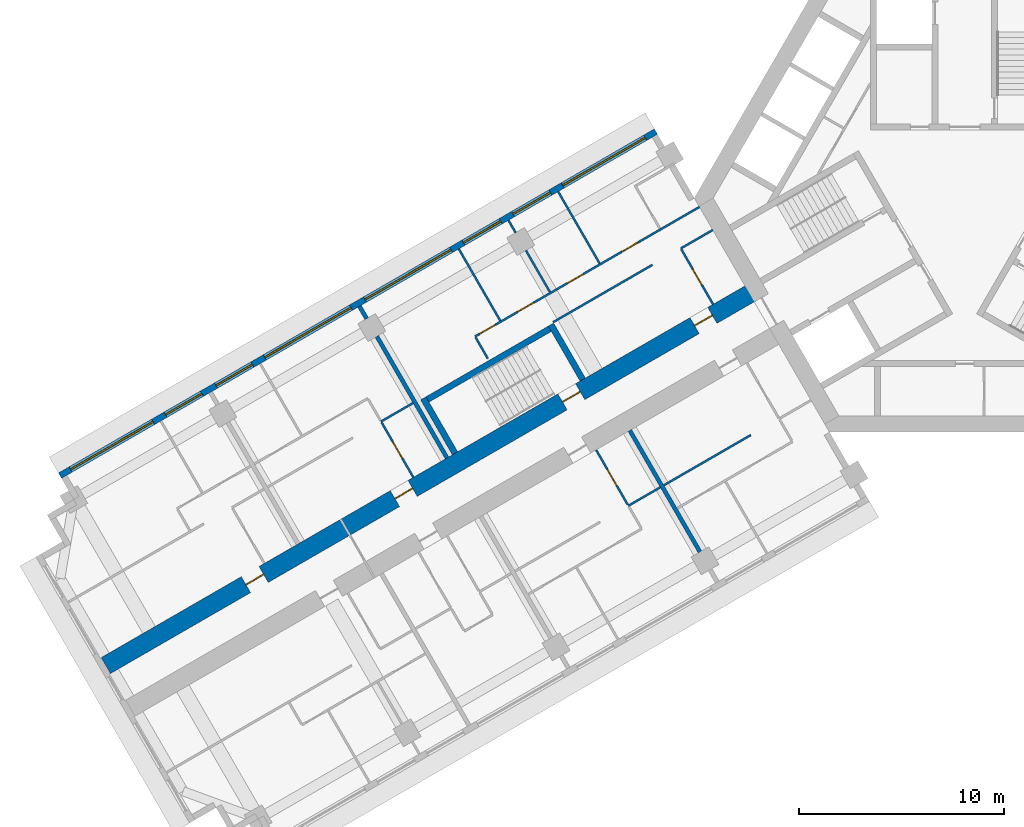
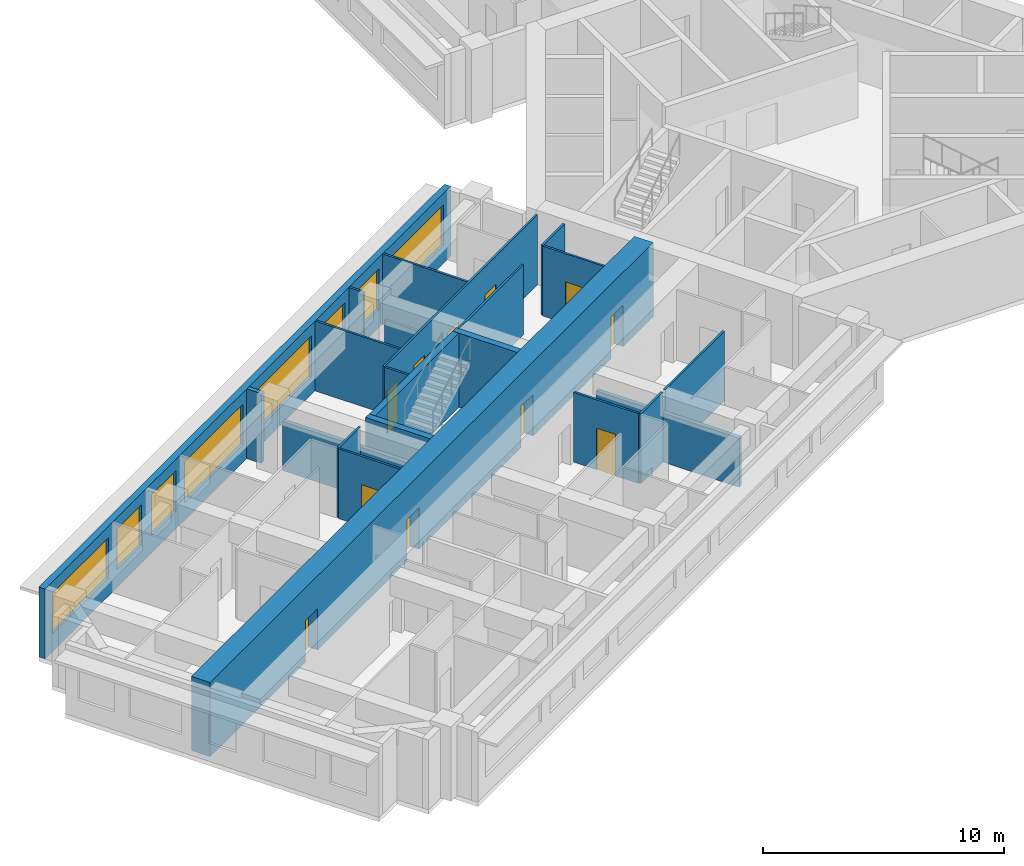
# One storey, part 5 of 14: 22 walls, 11 doors, 8 windows, 19 openings.
"""IFC4 building model written with IfcOpenShell, lengths in metres."""

from ifc_helpers import new_model, si_unit, direction, frame, frame_2d, origin, place, context, subcontext, project, spatial, rectangle, extrude, material, layer, layer_set, type_object, element, fill, save


model = new_model("IFC4")

# Units and contexts
model_context = context("Model", 3, precision=1e-05, world=origin(), true_north=direction((0.0, 1.0)))
body_context = subcontext(model_context, "Body", "Model", "MODEL_VIEW")
ifc_project = project(units=[si_unit("LENGTHUNIT", "METRE"), si_unit("AREAUNIT", "SQUARE_METRE"), si_unit("VOLUMEUNIT", "CUBIC_METRE"), si_unit("PLANEANGLEUNIT", "RADIAN"), si_unit("MASSUNIT", "GRAM", prefix="KILO")], contexts=[model_context])

# Site, building, storey
site_placement = place(None, origin())
site = spatial("IfcSite", under=ifc_project, at=site_placement, CompositionType="ELEMENT")
building_placement = place(site_placement, origin())
building = spatial("IfcBuilding", under=site, at=building_placement, Name="Impinga Residences", CompositionType="ELEMENT")
storey_placement = place(building_placement, frame((0.0, 0.0, 117.25)))
storey = spatial("IfcBuildingStorey", under=building, at=storey_placement, Name="L28", CompositionType="ELEMENT", Elevation=117.25)

# Wall, openings, doors
ifc_material_1 = material(Name="Concrete C60/75", Category="concrete")
ifc_layer_1 = layer(ifc_material_1, 0.89990234375)
ifc_layer_set_1 = layer_set([ifc_layer_1], Name="Concrete C60/75")
wall_type_1 = type_object("IfcWallType", Name="BW2 corridor buttress wall, L24 to L44 900", PredefinedType="SHEAR", material=ifc_layer_set_1)
wall_1_placement = place(storey_placement, frame((-10.153564453125, -4.4765625, 0.0), z_axis=(0.0, 0.0, 1.0), x_axis=(-0.866027614434, -0.499996171023, 0.0)))
wall_1 = element("IfcWall", 1, at=wall_1_placement, inside=storey, type_object=wall_type_1, Name="Corridor wall BW2 WD L28", PredefinedType="SHEAR", context=body_context, shape_type="SweptSolid", body=[
    extrude(rectangle(XDim=36.699951171875, YDim=0.89990234375, at=frame_2d((18.35009765625, 0.0))), origin(), (0.0, 0.0, 1.0), 3.75),
])
opening_1_placement = place(wall_1_placement, frame((9.949951171875, 0.0, 0.0)))
opening_1 = element("IfcOpeningElement", 2, at=opening_1_placement, cuts=wall_1, Name="Opening D5", PredefinedType="OPENING", context=body_context, shape_type="SweptSolid", body=[
    extrude(rectangle(XDim=1.0, YDim=2.10009765625, at=frame_2d((0.5, 1.050048828125))), frame((0.0, 0.4599609375, 0.0), z_axis=(0.0, -1.0, 0.0), x_axis=(1.0, 0.0, 0.0)), (0.0, 0.0, 1.0), 0.919921875),
])
opening_2_placement = place(wall_1_placement, frame((2.5, 0.0, 0.0)))
opening_2 = element("IfcOpeningElement", 3, at=opening_2_placement, cuts=wall_1, Name="Opening D1", PredefinedType="OPENING", context=body_context, shape_type="SweptSolid", body=[
    extrude(rectangle(XDim=1.0, YDim=2.10009765625, at=frame_2d((0.5, 1.050048828125))), frame((0.0, 0.4599609375, 0.0), z_axis=(0.0, -1.0, 0.0), x_axis=(1.0, 0.0, 0.0)), (0.0, 0.0, 1.0), 0.919921875),
])
opening_3_placement = place(wall_1_placement, frame((19.39990234375, 0.0, 0.0)))
opening_3 = element("IfcOpeningElement", 4, at=opening_3_placement, cuts=wall_1, Name="Opening D1", PredefinedType="OPENING", context=body_context, shape_type="SweptSolid", body=[
    extrude(rectangle(XDim=1.0, YDim=2.10009765625, at=frame_2d((0.5, 1.050048828125))), frame((0.0, 0.4599609375, 0.0), z_axis=(0.0, -1.0, 0.0), x_axis=(1.0, 0.0, 0.0)), (0.0, 0.0, 1.0), 0.919921875),
])
opening_4_placement = place(wall_1_placement, frame((27.800048828125, 0.0, 0.0)))
opening_4 = element("IfcOpeningElement", 5, at=opening_4_placement, cuts=wall_1, Name="Opening D1", PredefinedType="OPENING", context=body_context, shape_type="SweptSolid", body=[
    extrude(rectangle(XDim=1.0, YDim=2.10009765625, at=frame_2d((0.5, 1.050048828125))), frame((0.0, 0.4599609375, 0.0), z_axis=(0.0, -1.0, 0.0), x_axis=(1.0, 0.0, 0.0)), (0.0, 0.0, 1.0), 0.919921875),
])
ifc_material_2 = material(Name="Timber door set", Category="wood")
door_type_1 = type_object("IfcDoorType", Name="D1 apartment entrance door 1000x2100", OperationType="SINGLE_SWING_LEFT", PredefinedType="DOOR", material=ifc_material_2)
door_1_placement = place(opening_2_placement, origin())
door_1 = element("IfcDoor", 6, at=door_1_placement, inside=storey, type_object=door_type_1, Name="Apartment L28-WF1 entrance", OperationType="SINGLE_SWING_LEFT", OverallHeight=2.10009765625, OverallWidth=1.0, PredefinedType="DOOR", context=body_context, shape_type="SweptSolid", body=[
    extrude(rectangle(XDim=1.0, YDim=2.10009765625, at=frame_2d((0.5, 1.050048828125))), frame((0.0, 0.02490234375, 0.0), z_axis=(0.0, -1.0, 0.0), x_axis=(1.0, 0.0, 0.0)), (0.0, 0.0, 1.0), 0.050048828125),
])
fill(opening_2, door_1)
door_2_placement = place(opening_3_placement, origin())
door_2 = element("IfcDoor", 7, at=door_2_placement, inside=storey, type_object=door_type_1, Name="Apartment L28-WF2 entrance", OperationType="SINGLE_SWING_RIGHT", OverallHeight=2.10009765625, OverallWidth=1.0, PredefinedType="DOOR", context=body_context, shape_type="SweptSolid", body=[
    extrude(rectangle(XDim=1.0, YDim=2.10009765625, at=frame_2d((0.5, 1.050048828125))), frame((0.0, 0.02490234375, 0.0), z_axis=(0.0, -1.0, 0.0), x_axis=(1.0, 0.0, 0.0)), (0.0, 0.0, 1.0), 0.050048828125),
])
fill(opening_3, door_2)
door_3_placement = place(opening_4_placement, origin())
door_3 = element("IfcDoor", 8, at=door_3_placement, inside=storey, type_object=door_type_1, Name="Apartment L28-WF3 entrance", OperationType="SINGLE_SWING_RIGHT", OverallHeight=2.10009765625, OverallWidth=1.0, PredefinedType="DOOR", context=body_context, shape_type="SweptSolid", body=[
    extrude(rectangle(XDim=1.0, YDim=2.10009765625, at=frame_2d((0.5, 1.050048828125))), frame((0.0, 0.02490234375, 0.0), z_axis=(0.0, -1.0, 0.0), x_axis=(1.0, 0.0, 0.0)), (0.0, 0.0, 1.0), 0.050048828125),
])
fill(opening_4, door_3)
door_type_2 = type_object("IfcDoorType", Name="D5 stair door 1000x2100", OperationType="SINGLE_SWING_LEFT", PredefinedType="DOOR", material=ifc_material_2)
door_4_placement = place(opening_1_placement, origin())
door_4 = element("IfcDoor", 9, at=door_4_placement, inside=storey, type_object=door_type_2, Name="Wing stair door W", OperationType="SINGLE_SWING_LEFT", OverallHeight=2.10009765625, OverallWidth=1.0, PredefinedType="DOOR", context=body_context, shape_type="SweptSolid", body=[
    extrude(rectangle(XDim=1.0, YDim=2.10009765625, at=frame_2d((0.5, 1.050048828125))), frame((0.0, 0.02490234375, 0.0), z_axis=(0.0, -1.0, 0.0), x_axis=(1.0, 0.0, 0.0)), (0.0, 0.0, 1.0), 0.050048828125),
])
fill(opening_1, door_4)

# Wall, openings, windows
ifc_material_3 = material(Name="Terracotta rainscreen on blockwork", Category="masonry")
ifc_layer_2 = layer(ifc_material_3, 0.300048828125)
ifc_layer_set_2 = layer_set([ifc_layer_2], Name="EW1 external wall, terracotta rainscreen on blockwork 300")
wall_type_2 = type_object("IfcWallType", Name="EW1 external wall, terracotta rainscreen on blockwork 300", PredefinedType="SOLIDWALL", material=ifc_layer_set_2)
wall_2_placement = place(storey_placement, frame((-44.17333984375, -13.552490234375, 0.0), z_axis=(0.0, 0.0, 1.0), x_axis=(0.866024291668, 0.500001926238, 0.0)))
wall_2 = element("IfcWall", 10, at=wall_2_placement, inside=storey, type_object=wall_type_2, Name="External wall EW1 L28", PredefinedType="SOLIDWALL", context=body_context, shape_type="SweptSolid", body=[
    extrude(rectangle(XDim=33.599853515625, YDim=0.300048828125, at=frame_2d((16.7998046875, 0.0))), origin(), (0.0, 0.0, 1.0), 3.530029296875),
])
opening_5_placement = place(wall_2_placement, frame((0.60009765625, 0.0, 0.89990234375)))
opening_5 = element("IfcOpeningElement", 11, at=opening_5_placement, cuts=wall_2, Name="Opening W10", PredefinedType="OPENING", context=body_context, shape_type="SweptSolid", body=[
    extrude(rectangle(XDim=4.64990234375, YDim=2.050048828125, at=frame_2d((2.324951171875, 1.02490234375))), frame((0.0, 0.159912109375, 0.0), z_axis=(0.0, -1.0, 0.0), x_axis=(1.0, 0.0, 0.0)), (0.0, 0.0, 1.0), 0.320068359375),
])
opening_6_placement = place(wall_2_placement, frame((5.949951171875, 0.0, 0.89990234375)))
opening_6 = element("IfcOpeningElement", 12, at=opening_6_placement, cuts=wall_2, Name="Opening W14", PredefinedType="OPENING", context=body_context, shape_type="SweptSolid", body=[
    extrude(rectangle(XDim=2.050048828125, YDim=2.050048828125, at=frame_2d((1.02490234375, 1.02490234375))), frame((0.0, 0.159912109375, 0.0), z_axis=(0.0, -1.0, 0.0), x_axis=(1.0, 0.0, 0.0)), (0.0, 0.0, 1.0), 0.320068359375),
])
opening_7_placement = place(wall_2_placement, frame((8.800048828125, 0.0, 0.89990234375)))
opening_7 = element("IfcOpeningElement", 13, at=opening_7_placement, cuts=wall_2, Name="Opening W14", PredefinedType="OPENING", context=body_context, shape_type="SweptSolid", body=[
    extrude(rectangle(XDim=2.050048828125, YDim=2.050048828125, at=frame_2d((1.02490234375, 1.02490234375))), frame((0.0, 0.159912109375, 0.0), z_axis=(0.0, -1.0, 0.0), x_axis=(1.0, 0.0, 0.0)), (0.0, 0.0, 1.0), 0.320068359375),
])
opening_8_placement = place(wall_2_placement, frame((11.550048828125, 0.0, 0.89990234375)))
opening_8 = element("IfcOpeningElement", 14, at=opening_8_placement, cuts=wall_2, Name="Opening W6", PredefinedType="OPENING", context=body_context, shape_type="SweptSolid", body=[
    extrude(rectangle(XDim=4.85009765625, YDim=2.050048828125, at=frame_2d((2.425048828125, 1.02490234375))), frame((0.0, 0.159912109375, 0.0), z_axis=(0.0, -1.0, 0.0), x_axis=(1.0, 0.0, 0.0)), (0.0, 0.0, 1.0), 0.320068359375),
])
opening_9_placement = place(wall_2_placement, frame((17.199951171875, 0.0, 0.89990234375)))
opening_9 = element("IfcOpeningElement", 15, at=opening_9_placement, cuts=wall_2, Name="Opening W6", PredefinedType="OPENING", context=body_context, shape_type="SweptSolid", body=[
    extrude(rectangle(XDim=4.85009765625, YDim=2.050048828125, at=frame_2d((2.425048828125, 1.02490234375))), frame((0.0, 0.159912109375, 0.0), z_axis=(0.0, -1.0, 0.0), x_axis=(1.0, 0.0, 0.0)), (0.0, 0.0, 1.0), 0.320068359375),
])
opening_10_placement = place(wall_2_placement, frame((22.75, 0.0, 0.89990234375)))
opening_10 = element("IfcOpeningElement", 16, at=opening_10_placement, cuts=wall_2, Name="Opening W9", PredefinedType="OPENING", context=body_context, shape_type="SweptSolid", body=[
    extrude(rectangle(XDim=2.10009765625, YDim=2.050048828125, at=frame_2d((1.050048828125, 1.02490234375))), frame((0.0, 0.159912109375, 0.0), z_axis=(0.0, -1.0, 0.0), x_axis=(1.0, 0.0, 0.0)), (0.0, 0.0, 1.0), 0.320068359375),
])
opening_11_placement = place(wall_2_placement, frame((25.550048828125, 0.0, 0.89990234375)))
opening_11 = element("IfcOpeningElement", 17, at=opening_11_placement, cuts=wall_2, Name="Opening W9", PredefinedType="OPENING", context=body_context, shape_type="SweptSolid", body=[
    extrude(rectangle(XDim=2.10009765625, YDim=2.050048828125, at=frame_2d((1.050048828125, 1.02490234375))), frame((0.0, 0.159912109375, 0.0), z_axis=(0.0, -1.0, 0.0), x_axis=(1.0, 0.0, 0.0)), (0.0, 0.0, 1.0), 0.320068359375),
])
opening_12_placement = place(wall_2_placement, frame((28.35009765625, 0.0, 0.89990234375)))
opening_12 = element("IfcOpeningElement", 18, at=opening_12_placement, cuts=wall_2, Name="Opening W10", PredefinedType="OPENING", context=body_context, shape_type="SweptSolid", body=[
    extrude(rectangle(XDim=4.64990234375, YDim=2.050048828125, at=frame_2d((2.324951171875, 1.02490234375))), frame((0.0, 0.159912109375, 0.0), z_axis=(0.0, -1.0, 0.0), x_axis=(1.0, 0.0, 0.0)), (0.0, 0.0, 1.0), 0.320068359375),
])
ifc_material_4 = material(Name="Aluminium window, clear double glazing", Category="aluminium")
window_type_1 = type_object("IfcWindowType", Name="W10 ribbon window 4650x2050", PartitioningType="SINGLE_PANEL", PredefinedType="WINDOW", material=ifc_material_4)
window_1_placement = place(opening_5_placement, origin())
window_1 = element("IfcWindow", 19, at=window_1_placement, inside=storey, type_object=window_type_1, Name="Window L28", OverallHeight=2.050048828125, OverallWidth=4.64990234375, PartitioningType="SINGLE_PANEL", PredefinedType="WINDOW", context=body_context, shape_type="SweptSolid", body=[
    extrude(rectangle(XDim=4.64990234375, YDim=2.050048828125, at=frame_2d((2.324951171875, 1.02490234375))), frame((0.0, 0.030029296875, 0.0), z_axis=(0.0, -1.0, 0.0), x_axis=(1.0, 0.0, 0.0)), (0.0, 0.0, 1.0), 0.06005859375),
])
fill(opening_5, window_1)
window_2_placement = place(opening_12_placement, origin())
window_2 = element("IfcWindow", 20, at=window_2_placement, inside=storey, type_object=window_type_1, Name="Window L28", OverallHeight=2.050048828125, OverallWidth=4.64990234375, PartitioningType="SINGLE_PANEL", PredefinedType="WINDOW", context=body_context, shape_type="SweptSolid", body=[
    extrude(rectangle(XDim=4.64990234375, YDim=2.050048828125, at=frame_2d((2.324951171875, 1.02490234375))), frame((0.0, 0.030029296875, 0.0), z_axis=(0.0, -1.0, 0.0), x_axis=(1.0, 0.0, 0.0)), (0.0, 0.0, 1.0), 0.06005859375),
])
fill(opening_12, window_2)
window_type_2 = type_object("IfcWindowType", Name="W14 ribbon window 2050x2050", PartitioningType="SINGLE_PANEL", PredefinedType="WINDOW", material=ifc_material_4)
window_3_placement = place(opening_6_placement, origin())
window_3 = element("IfcWindow", 21, at=window_3_placement, inside=storey, type_object=window_type_2, Name="Window L28", OverallHeight=2.050048828125, OverallWidth=2.050048828125, PartitioningType="SINGLE_PANEL", PredefinedType="WINDOW", context=body_context, shape_type="SweptSolid", body=[
    extrude(rectangle(XDim=2.050048828125, YDim=2.050048828125, at=frame_2d((1.02490234375, 1.02490234375))), frame((0.0, 0.030029296875, 0.0), z_axis=(0.0, -1.0, 0.0), x_axis=(1.0, 0.0, 0.0)), (0.0, 0.0, 1.0), 0.06005859375),
])
fill(opening_6, window_3)
window_4_placement = place(opening_7_placement, origin())
window_4 = element("IfcWindow", 22, at=window_4_placement, inside=storey, type_object=window_type_2, Name="Window L28", OverallHeight=2.050048828125, OverallWidth=2.050048828125, PartitioningType="SINGLE_PANEL", PredefinedType="WINDOW", context=body_context, shape_type="SweptSolid", body=[
    extrude(rectangle(XDim=2.050048828125, YDim=2.050048828125, at=frame_2d((1.02490234375, 1.02490234375))), frame((0.0, 0.030029296875, 0.0), z_axis=(0.0, -1.0, 0.0), x_axis=(1.0, 0.0, 0.0)), (0.0, 0.0, 1.0), 0.06005859375),
])
fill(opening_7, window_4)
window_type_3 = type_object("IfcWindowType", Name="W6 ribbon window 4850x2050", PartitioningType="SINGLE_PANEL", PredefinedType="WINDOW", material=ifc_material_4)
window_5_placement = place(opening_8_placement, origin())
window_5 = element("IfcWindow", 23, at=window_5_placement, inside=storey, type_object=window_type_3, Name="Window L28", OverallHeight=2.050048828125, OverallWidth=4.85009765625, PartitioningType="SINGLE_PANEL", PredefinedType="WINDOW", context=body_context, shape_type="SweptSolid", body=[
    extrude(rectangle(XDim=4.85009765625, YDim=2.050048828125, at=frame_2d((2.425048828125, 1.02490234375))), frame((0.0, 0.030029296875, 0.0), z_axis=(0.0, -1.0, 0.0), x_axis=(1.0, 0.0, 0.0)), (0.0, 0.0, 1.0), 0.06005859375),
])
fill(opening_8, window_5)
window_6_placement = place(opening_9_placement, origin())
window_6 = element("IfcWindow", 24, at=window_6_placement, inside=storey, type_object=window_type_3, Name="Window L28", OverallHeight=2.050048828125, OverallWidth=4.85009765625, PartitioningType="SINGLE_PANEL", PredefinedType="WINDOW", context=body_context, shape_type="SweptSolid", body=[
    extrude(rectangle(XDim=4.85009765625, YDim=2.050048828125, at=frame_2d((2.425048828125, 1.02490234375))), frame((0.0, 0.030029296875, 0.0), z_axis=(0.0, -1.0, 0.0), x_axis=(1.0, 0.0, 0.0)), (0.0, 0.0, 1.0), 0.06005859375),
])
fill(opening_9, window_6)
window_type_4 = type_object("IfcWindowType", Name="W9 ribbon window 2100x2050", PartitioningType="SINGLE_PANEL", PredefinedType="WINDOW", material=ifc_material_4)
window_7_placement = place(opening_10_placement, origin())
window_7 = element("IfcWindow", 25, at=window_7_placement, inside=storey, type_object=window_type_4, Name="Window L28", OverallHeight=2.050048828125, OverallWidth=2.10009765625, PartitioningType="SINGLE_PANEL", PredefinedType="WINDOW", context=body_context, shape_type="SweptSolid", body=[
    extrude(rectangle(XDim=2.10009765625, YDim=2.050048828125, at=frame_2d((1.050048828125, 1.02490234375))), frame((0.0, 0.030029296875, 0.0), z_axis=(0.0, -1.0, 0.0), x_axis=(1.0, 0.0, 0.0)), (0.0, 0.0, 1.0), 0.06005859375),
])
fill(opening_10, window_7)
window_8_placement = place(opening_11_placement, origin())
window_8 = element("IfcWindow", 26, at=window_8_placement, inside=storey, type_object=window_type_4, Name="Window L28", OverallHeight=2.050048828125, OverallWidth=2.10009765625, PartitioningType="SINGLE_PANEL", PredefinedType="WINDOW", context=body_context, shape_type="SweptSolid", body=[
    extrude(rectangle(XDim=2.10009765625, YDim=2.050048828125, at=frame_2d((1.050048828125, 1.02490234375))), frame((0.0, 0.030029296875, 0.0), z_axis=(0.0, -1.0, 0.0), x_axis=(1.0, 0.0, 0.0)), (0.0, 0.0, 1.0), 0.06005859375),
])
fill(opening_11, window_8)

# Walls
ifc_material_5 = material(Name="Gypsum board on steel studs", Category="steel")
ifc_layer_3 = layer(ifc_material_5, 0.10009765625)
ifc_layer_set_3 = layer_set([ifc_layer_3], Name="Gypsum board on steel studs")
wall_type_3 = type_object("IfcWallType", Name="IP1 partition 100", PredefinedType="PARTITIONING", material=ifc_layer_set_3)
wall_3_placement = place(storey_placement, frame((-10.444580078125, -11.57275390625, 0.0), z_axis=(0.0, 0.0, 1.0), x_axis=(-0.866023786258, -0.500002801628, 0.0)))
element("IfcWall", 27, at=wall_3_placement, inside=storey, type_object=wall_type_3, Name="Partition L28-WA1:DIV1", PredefinedType="PARTITIONING", context=body_context, shape_type="SweptSolid", body=[
    extrude(rectangle(XDim=4.89990234375, YDim=0.10009765625, at=frame_2d((2.449951171875, 0.0))), origin(), (0.0, 0.0, 1.0), 3.530029296875),
])
wall_4_placement = place(storey_placement, frame((-14.861328125, -14.122802734375, 0.0), z_axis=(0.0, 0.0, 1.0), x_axis=(-0.866047807691, -0.499961193289, 0.0)))
element("IfcWall", 28, at=wall_4_placement, inside=storey, type_object=wall_type_3, Name="Partition L28-WA2:DIV0", PredefinedType="PARTITIONING", context=body_context, shape_type="SweptSolid", body=[
    extrude(rectangle(XDim=1.800048828125, YDim=0.10009765625, at=frame_2d((0.89990234375, 0.0))), origin(), (0.0, 0.0, 1.0), 3.530029296875),
])

# Wall, opening, door
wall_5_placement = place(storey_placement, frame((-17.9951171875, -12.294677734375, 0.0), z_axis=(0.0, 0.0, 1.0), x_axis=(0.49999285859, -0.86602952684, 0.0)))
wall_5 = element("IfcWall", 29, at=wall_5_placement, inside=storey, type_object=wall_type_3, Name="Partition L28-WA2:IB1", PredefinedType="PARTITIONING", context=body_context, shape_type="SweptSolid", body=[
    extrude(rectangle(XDim=3.10009765625, YDim=0.10009765625, at=frame_2d((1.550048828125, 0.0))), origin(), (0.0, 0.0, 1.0), 3.530029296875),
])
opening_13_placement = place(wall_5_placement, frame((1.10009765625, 0.0, 0.0)))
opening_13 = element("IfcOpeningElement", 30, at=opening_13_placement, cuts=wall_5, Name="Opening D2", PredefinedType="OPENING", context=body_context, shape_type="SweptSolid", body=[
    extrude(rectangle(XDim=0.89990234375, YDim=2.10009765625, at=frame_2d((0.449951171875, 1.050048828125))), frame((0.0, 0.06005859375, 0.0), z_axis=(0.0, -1.0, 0.0), x_axis=(1.0, 0.0, 0.0)), (0.0, 0.0, 1.0), 0.1201171875),
])
door_type_3 = type_object("IfcDoorType", Name="D2 internal door 900x2100", OperationType="SINGLE_SWING_LEFT", PredefinedType="DOOR", material=ifc_material_2)
door_5_placement = place(opening_13_placement, origin())
door_5 = element("IfcDoor", 31, at=door_5_placement, inside=storey, type_object=door_type_3, Name="Apartment L28-WA2 bathroom door", OperationType="SINGLE_SWING_LEFT", OverallHeight=2.10009765625, OverallWidth=0.89990234375, PredefinedType="DOOR", context=body_context, shape_type="SweptSolid", body=[
    extrude(rectangle(XDim=0.89990234375, YDim=2.10009765625, at=frame_2d((0.449951171875, 1.050048828125))), frame((0.0, 0.02490234375, 0.0), z_axis=(0.0, -1.0, 0.0), x_axis=(1.0, 0.0, 0.0)), (0.0, 0.0, 1.0), 0.050048828125),
])
fill(opening_13, door_5)

# Walls
wall_6_placement = place(storey_placement, frame((-12.300048828125, -1.558837890625, 0.0), z_axis=(0.0, 0.0, 1.0), x_axis=(-0.866047807691, -0.499961193289, 0.0)))
element("IfcWall", 32, at=wall_6_placement, inside=storey, type_object=wall_type_3, Name="Partition L28-WF1:DIV0", PredefinedType="PARTITIONING", context=body_context, shape_type="SweptSolid", body=[
    extrude(rectangle(XDim=1.800048828125, YDim=0.10009765625, at=frame_2d((0.89990234375, 0.0))), origin(), (0.0, 0.0, 1.0), 3.530029296875),
])
wall_7_placement = place(storey_placement, frame((-15.244384765625, -3.2587890625, 0.0), z_axis=(0.0, 0.0, 1.0), x_axis=(-0.866026594901, -0.49999793692, 0.0)))
element("IfcWall", 33, at=wall_7_placement, inside=storey, type_object=wall_type_3, Name="Partition L28-WF1:DIV1", PredefinedType="PARTITIONING", context=body_context, shape_type="SweptSolid", body=[
    extrude(rectangle(XDim=5.60009765625, YDim=0.10009765625, at=frame_2d((2.800048828125, 0.0))), origin(), (0.0, 0.0, 1.0), 3.530029296875),
])

# Wall, openings, doors
wall_8_placement = place(storey_placement, frame((-12.949951171875, -0.43310546875, 0.0), z_axis=(0.0, 0.0, 1.0), x_axis=(-0.866029069366, -0.499993650972, 0.0)))
wall_8 = element("IfcWall", 34, at=wall_8_placement, inside=storey, type_object=wall_type_3, Name="Partition L28-WF1:STRIP", PredefinedType="PARTITIONING", context=body_context, shape_type="SweptSolid", body=[
    extrude(rectangle(XDim=12.650146484375, YDim=0.10009765625, at=frame_2d((6.3251953125, 0.0))), origin(), (0.0, 0.0, 1.0), 3.530029296875),
])
opening_14_placement = place(wall_8_placement, frame((3.449951171875, 0.0, 0.0)))
opening_14 = element("IfcOpeningElement", 35, at=opening_14_placement, cuts=wall_8, Name="Opening D2", PredefinedType="OPENING", context=body_context, shape_type="SweptSolid", body=[
    extrude(rectangle(XDim=0.89990234375, YDim=2.10009765625, at=frame_2d((0.449951171875, 1.050048828125))), frame((0.0, 0.06005859375, 0.0), z_axis=(0.0, -1.0, 0.0), x_axis=(1.0, 0.0, 0.0)), (0.0, 0.0, 1.0), 0.1201171875),
])
opening_15_placement = place(wall_8_placement, frame((6.550048828125, 0.0, 0.0)))
opening_15 = element("IfcOpeningElement", 36, at=opening_15_placement, cuts=wall_8, Name="Opening D2", PredefinedType="OPENING", context=body_context, shape_type="SweptSolid", body=[
    extrude(rectangle(XDim=0.89990234375, YDim=2.10009765625, at=frame_2d((0.449951171875, 1.050048828125))), frame((0.0, 0.06005859375, 0.0), z_axis=(0.0, -1.0, 0.0), x_axis=(1.0, 0.0, 0.0)), (0.0, 0.0, 1.0), 0.1201171875),
])
opening_16_placement = place(wall_8_placement, frame((9.35009765625, 0.0, 0.0)))
opening_16 = element("IfcOpeningElement", 37, at=opening_16_placement, cuts=wall_8, Name="Opening D2", PredefinedType="OPENING", context=body_context, shape_type="SweptSolid", body=[
    extrude(rectangle(XDim=0.89990234375, YDim=2.10009765625, at=frame_2d((0.449951171875, 1.050048828125))), frame((0.0, 0.06005859375, 0.0), z_axis=(0.0, -1.0, 0.0), x_axis=(1.0, 0.0, 0.0)), (0.0, 0.0, 1.0), 0.1201171875),
])
opening_17_placement = place(wall_8_placement, frame((11.5, 0.0, 0.0)))
opening_17 = element("IfcOpeningElement", 38, at=opening_17_placement, cuts=wall_8, Name="Opening D2", PredefinedType="OPENING", context=body_context, shape_type="SweptSolid", body=[
    extrude(rectangle(XDim=0.89990234375, YDim=2.10009765625, at=frame_2d((0.449951171875, 1.050048828125))), frame((0.0, 0.06005859375, 0.0), z_axis=(0.0, -1.0, 0.0), x_axis=(1.0, 0.0, 0.0)), (0.0, 0.0, 1.0), 0.1201171875),
])
door_6_placement = place(opening_14_placement, origin())
door_6 = element("IfcDoor", 39, at=door_6_placement, inside=storey, type_object=door_type_3, Name="Apartment L28-WF1 room door", OperationType="SINGLE_SWING_LEFT", OverallHeight=2.10009765625, OverallWidth=0.89990234375, PredefinedType="DOOR", context=body_context, shape_type="SweptSolid", body=[
    extrude(rectangle(XDim=0.89990234375, YDim=2.10009765625, at=frame_2d((0.449951171875, 1.050048828125))), frame((0.0, 0.02490234375, 0.0), z_axis=(0.0, -1.0, 0.0), x_axis=(1.0, 0.0, 0.0)), (0.0, 0.0, 1.0), 0.050048828125),
])
fill(opening_14, door_6)
door_7_placement = place(opening_15_placement, origin())
door_7 = element("IfcDoor", 40, at=door_7_placement, inside=storey, type_object=door_type_3, Name="Apartment L28-WF1 room door", OperationType="SINGLE_SWING_RIGHT", OverallHeight=2.10009765625, OverallWidth=0.89990234375, PredefinedType="DOOR", context=body_context, shape_type="SweptSolid", body=[
    extrude(rectangle(XDim=0.89990234375, YDim=2.10009765625, at=frame_2d((0.449951171875, 1.050048828125))), frame((0.0, 0.02490234375, 0.0), z_axis=(0.0, -1.0, 0.0), x_axis=(1.0, 0.0, 0.0)), (0.0, 0.0, 1.0), 0.050048828125),
])
fill(opening_15, door_7)
door_8_placement = place(opening_16_placement, origin())
door_8 = element("IfcDoor", 41, at=door_8_placement, inside=storey, type_object=door_type_3, Name="Apartment L28-WF1 room door", OperationType="SINGLE_SWING_RIGHT", OverallHeight=2.10009765625, OverallWidth=0.89990234375, PredefinedType="DOOR", context=body_context, shape_type="SweptSolid", body=[
    extrude(rectangle(XDim=0.89990234375, YDim=2.10009765625, at=frame_2d((0.449951171875, 1.050048828125))), frame((0.0, 0.02490234375, 0.0), z_axis=(0.0, -1.0, 0.0), x_axis=(1.0, 0.0, 0.0)), (0.0, 0.0, 1.0), 0.050048828125),
])
fill(opening_16, door_8)
door_9_placement = place(opening_17_placement, origin())
door_9 = element("IfcDoor", 42, at=door_9_placement, inside=storey, type_object=door_type_3, Name="Apartment L28-WF1 room door", OperationType="SINGLE_SWING_RIGHT", OverallHeight=2.10009765625, OverallWidth=0.89990234375, PredefinedType="DOOR", context=body_context, shape_type="SweptSolid", body=[
    extrude(rectangle(XDim=0.89990234375, YDim=2.10009765625, at=frame_2d((0.449951171875, 1.050048828125))), frame((0.0, 0.02490234375, 0.0), z_axis=(0.0, -1.0, 0.0), x_axis=(1.0, 0.0, 0.0)), (0.0, 0.0, 1.0), 0.050048828125),
])
fill(opening_17, door_9)

# Wall
wall_9_placement = place(storey_placement, frame((-23.2802734375, -7.840576171875, 0.0), z_axis=(0.0, 0.0, 1.0), x_axis=(-0.499880961361, 0.866094119867, 0.0)))
element("IfcWall", 43, at=wall_9_placement, inside=storey, type_object=wall_type_3, Name="Partition L28-WF1:SE1", PredefinedType="PARTITIONING", context=body_context, shape_type="SweptSolid", body=[
    extrude(rectangle(XDim=1.199951171875, YDim=0.10009765625, at=frame_2d((0.60009765625, 0.0))), origin(), (0.0, 0.0, 1.0), 3.530029296875),
])

# Wall, opening, door
wall_10_placement = place(storey_placement, frame((-12.283935546875, -5.186767578125, 0.0), z_axis=(0.0, 0.0, 1.0), x_axis=(-0.499967891604, 0.866043940782, 0.0)))
wall_10 = element("IfcWall", 44, at=wall_10_placement, inside=storey, type_object=wall_type_3, Name="Partition L28-WF1:IB1", PredefinedType="PARTITIONING", context=body_context, shape_type="SweptSolid", body=[
    extrude(rectangle(XDim=3.099853515625, YDim=0.10009765625, at=frame_2d((1.5498046875, 0.0))), origin(), (0.0, 0.0, 1.0), 3.530029296875),
])
opening_18_placement = place(wall_10_placement, frame((1.10009765625, 0.0, 0.0)))
opening_18 = element("IfcOpeningElement", 45, at=opening_18_placement, cuts=wall_10, Name="Opening D2", PredefinedType="OPENING", context=body_context, shape_type="SweptSolid", body=[
    extrude(rectangle(XDim=0.89990234375, YDim=2.10009765625, at=frame_2d((0.449951171875, 1.050048828125))), frame((0.0, 0.06005859375, 0.0), z_axis=(0.0, -1.0, 0.0), x_axis=(1.0, 0.0, 0.0)), (0.0, 0.0, 1.0), 0.1201171875),
])
door_10_placement = place(opening_18_placement, origin())
door_10 = element("IfcDoor", 46, at=door_10_placement, inside=storey, type_object=door_type_3, Name="Apartment L28-WF1 bathroom door", OperationType="SINGLE_SWING_LEFT", OverallHeight=2.10009765625, OverallWidth=0.89990234375, PredefinedType="DOOR", context=body_context, shape_type="SweptSolid", body=[
    extrude(rectangle(XDim=0.89990234375, YDim=2.10009765625, at=frame_2d((0.449951171875, 1.050048828125))), frame((0.0, 0.02490234375, 0.0), z_axis=(0.0, -1.0, 0.0), x_axis=(1.0, 0.0, 0.0)), (0.0, 0.0, 1.0), 0.050048828125),
])
fill(opening_18, door_10)

# Walls
wall_11_placement = place(storey_placement, frame((-17.82470703125, -3.189697265625, 0.0), z_axis=(0.0, 0.0, 1.0), x_axis=(-0.500035537042, 0.866004885491, 0.0)))
element("IfcWall", 47, at=wall_11_placement, inside=storey, type_object=wall_type_3, Name="Partition L28-WF1:OB1", PredefinedType="PARTITIONING", context=body_context, shape_type="SweptSolid", body=[
    extrude(rectangle(XDim=4.050048828125, YDim=0.10009765625, at=frame_2d((2.02490234375, 0.0))), origin(), (0.0, 0.0, 1.0), 3.530029296875),
])
wall_12_placement = place(storey_placement, frame((-20.24951171875, -4.589599609375, 0.0), z_axis=(0.0, 0.0, 1.0), x_axis=(-0.500016218704, 0.866016039709, 0.0)))
element("IfcWall", 48, at=wall_12_placement, inside=storey, type_object=wall_type_3, Name="Partition L28-WF1:OB2", PredefinedType="PARTITIONING", context=body_context, shape_type="SweptSolid", body=[
    extrude(rectangle(XDim=2.35009765625, YDim=0.10009765625, at=frame_2d((1.175048828125, 0.0))), origin(), (0.0, 0.0, 1.0), 2.47998046875),
])
wall_13_placement = place(storey_placement, frame((-21.924560546875, -1.6884765625, 0.0), z_axis=(0.0, 0.0, 1.0), x_axis=(-0.500114896893, 0.865959057869, 0.0)))
element("IfcWall", 49, at=wall_13_placement, inside=storey, type_object=wall_type_3, Name="Partition L28-WF1:OB2b", PredefinedType="PARTITIONING", context=body_context, shape_type="SweptSolid", body=[
    extrude(rectangle(XDim=0.699951171875, YDim=0.10009765625, at=frame_2d((0.35009765625, 0.0))), origin(), (0.0, 0.0, 1.0), 3.530029296875),
])
wall_14_placement = place(storey_placement, frame((-22.674560546875, -5.98974609375, 0.0), z_axis=(0.0, 0.0, 1.0), x_axis=(-0.499990325971, 0.866030989016, 0.0)))
element("IfcWall", 50, at=wall_14_placement, inside=storey, type_object=wall_type_3, Name="Partition L28-WF1:OB3", PredefinedType="PARTITIONING", context=body_context, shape_type="SweptSolid", body=[
    extrude(rectangle(XDim=4.0498046875, YDim=0.10009765625, at=frame_2d((2.02490234375, 0.0))), origin(), (0.0, 0.0, 1.0), 3.530029296875),
])
wall_15_placement = place(storey_placement, frame((-26.935791015625, -10.0087890625, 0.0), z_axis=(0.0, 0.0, 1.0), x_axis=(-0.865989075817, -0.500062916607, 0.0)))
element("IfcWall", 51, at=wall_15_placement, inside=storey, type_object=wall_type_3, Name="Partition L28-WF2:DIV0", PredefinedType="PARTITIONING", context=body_context, shape_type="SweptSolid", body=[
    extrude(rectangle(XDim=1.800048828125, YDim=0.10009765625, at=frame_2d((0.89990234375, 0.0))), origin(), (0.0, 0.0, 1.0), 3.530029296875),
])

# Wall, opening, door
wall_16_placement = place(storey_placement, frame((-26.919677734375, -13.63671875, 0.0), z_axis=(0.0, 0.0, 1.0), x_axis=(-0.500026960575, 0.86600983753, 0.0)))
wall_16 = element("IfcWall", 52, at=wall_16_placement, inside=storey, type_object=wall_type_3, Name="Partition L28-WF2:IB1", PredefinedType="PARTITIONING", context=body_context, shape_type="SweptSolid", body=[
    extrude(rectangle(XDim=3.099853515625, YDim=0.10009765625, at=frame_2d((1.5498046875, 0.0))), origin(), (0.0, 0.0, 1.0), 3.530029296875),
])
opening_19_placement = place(wall_16_placement, frame((1.10009765625, 0.0, 0.0)))
opening_19 = element("IfcOpeningElement", 53, at=opening_19_placement, cuts=wall_16, Name="Opening D2", PredefinedType="OPENING", context=body_context, shape_type="SweptSolid", body=[
    extrude(rectangle(XDim=0.89990234375, YDim=2.10009765625, at=frame_2d((0.449951171875, 1.050048828125))), frame((0.0, 0.06005859375, 0.0), z_axis=(0.0, -1.0, 0.0), x_axis=(1.0, 0.0, 0.0)), (0.0, 0.0, 1.0), 0.1201171875),
])
door_11_placement = place(opening_19_placement, origin())
door_11 = element("IfcDoor", 54, at=door_11_placement, inside=storey, type_object=door_type_3, Name="Apartment L28-WF2 bathroom door", OperationType="SINGLE_SWING_LEFT", OverallHeight=2.10009765625, OverallWidth=0.89990234375, PredefinedType="DOOR", context=body_context, shape_type="SweptSolid", body=[
    extrude(rectangle(XDim=0.89990234375, YDim=2.10009765625, at=frame_2d((0.449951171875, 1.050048828125))), frame((0.0, 0.02490234375, 0.0), z_axis=(0.0, -1.0, 0.0), x_axis=(1.0, 0.0, 0.0)), (0.0, 0.0, 1.0), 0.050048828125),
])
fill(opening_19, door_11)

# Walls
ifc_material_6 = material(Name="Concrete blockwork", Category="masonry")
ifc_layer_4 = layer(ifc_material_6, 0.199951171875)
ifc_layer_set_4 = layer_set([ifc_layer_4], Name="PW1 party wall between apartments 200")
wall_type_4 = type_object("IfcWallType", Name="PW1 party wall between apartments 200", PredefinedType="SOLIDWALL", material=ifc_layer_set_4)
wall_17_placement = place(storey_placement, frame((-16.349609375, -11.3447265625, 0.0), z_axis=(0.0, 0.0, 1.0), x_axis=(0.499999086063, -0.866025931445, 0.0)))
element("IfcWall", 55, at=wall_17_placement, inside=storey, type_object=wall_type_4, Name="Party wall between apartments L28-WA1:PARTY", PredefinedType="SOLIDWALL", context=body_context, shape_type="SweptSolid", body=[
    extrude(rectangle(XDim=6.85009765625, YDim=0.199951171875, at=frame_2d((3.425048828125, 0.0))), origin(), (0.0, 0.0, 1.0), 2.47998046875),
])
wall_18_placement = place(storey_placement, frame((-25.274169921875, -12.686767578125, 0.0), z_axis=(0.0, 0.0, 1.0), x_axis=(-0.500014519185, 0.866017020967, 0.0)))
element("IfcWall", 56, at=wall_18_placement, inside=storey, type_object=wall_type_4, Name="Party wall between apartments L28-WF1:PARTY", PredefinedType="SOLIDWALL", context=body_context, shape_type="SweptSolid", body=[
    extrude(rectangle(XDim=6.849853515625, YDim=0.199951171875, at=frame_2d((3.4248046875, 0.0))), origin(), (0.0, 0.0, 1.0), 2.47998046875),
])
wall_19_placement = place(storey_placement, frame((-29.19921875, -5.888427734375, 0.0), z_axis=(0.0, 0.0, 1.0), x_axis=(-0.500114896893, 0.865959057869, 0.0)))
element("IfcWall", 57, at=wall_19_placement, inside=storey, type_object=wall_type_4, Name="Party wall between apartments L28-WF1:PARTYb", PredefinedType="SOLIDWALL", context=body_context, shape_type="SweptSolid", body=[
    extrude(rectangle(XDim=0.699951171875, YDim=0.199951171875, at=frame_2d((0.35009765625, 0.0))), origin(), (0.0, 0.0, 1.0), 3.530029296875),
])
ifc_layer_5 = layer(ifc_material_1, 0.300048828125)
ifc_layer_set_5 = layer_set([ifc_layer_5], Name="Concrete C60/75")
wall_type_5 = type_object("IfcWallType", Name="SE1 wing stair enclosure wall 300", PredefinedType="SOLIDWALL", material=ifc_layer_set_5)
wall_20_placement = place(storey_placement, frame((-18.649169921875, -8.86181640625, 0.0), z_axis=(0.0, 0.0, 1.0), x_axis=(-0.500026960575, 0.86600983753, 0.0)))
element("IfcWall", 58, at=wall_20_placement, inside=storey, type_object=wall_type_5, Name="Stair enclosure wall SE1 W END0 L28", PredefinedType="SOLIDWALL", context=body_context, shape_type="SweptSolid", body=[
    extrude(rectangle(XDim=3.099853515625, YDim=0.300048828125, at=frame_2d((1.5498046875, 0.0))), origin(), (0.0, 0.0, 1.0), 3.75),
])
wall_21_placement = place(storey_placement, frame((-24.884521484375, -12.4619140625, 0.0), z_axis=(0.0, 0.0, 1.0), x_axis=(-0.49999285859, 0.86602952684, 0.0)))
element("IfcWall", 59, at=wall_21_placement, inside=storey, type_object=wall_type_5, Name="Stair enclosure wall SE1 W END1 L28", PredefinedType="SOLIDWALL", context=body_context, shape_type="SweptSolid", body=[
    extrude(rectangle(XDim=3.10009765625, YDim=0.300048828125, at=frame_2d((1.550048828125, 0.0))), origin(), (0.0, 0.0, 1.0), 3.75),
])
wall_22_placement = place(storey_placement, frame((-20.254150390625, -6.382080078125, 0.0), z_axis=(0.0, 0.0, 1.0), x_axis=(-0.866020008033, -0.500009345598, 0.0)))
element("IfcWall", 60, at=wall_22_placement, inside=storey, type_object=wall_type_5, Name="Stair enclosure wall SE1 W OUT L28", PredefinedType="SOLIDWALL", context=body_context, shape_type="SweptSolid", body=[
    extrude(rectangle(XDim=6.899658203125, YDim=0.300048828125, at=frame_2d((3.44970703125, 0.0))), origin(), (0.0, 0.0, 1.0), 3.75),
])

save(model, "model.ifc")
